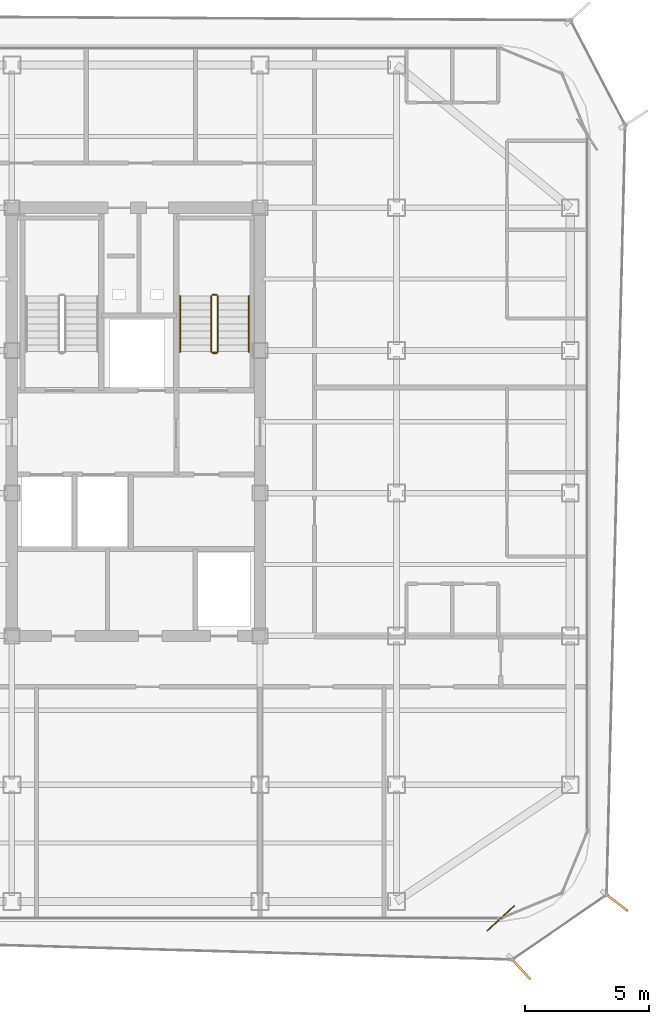
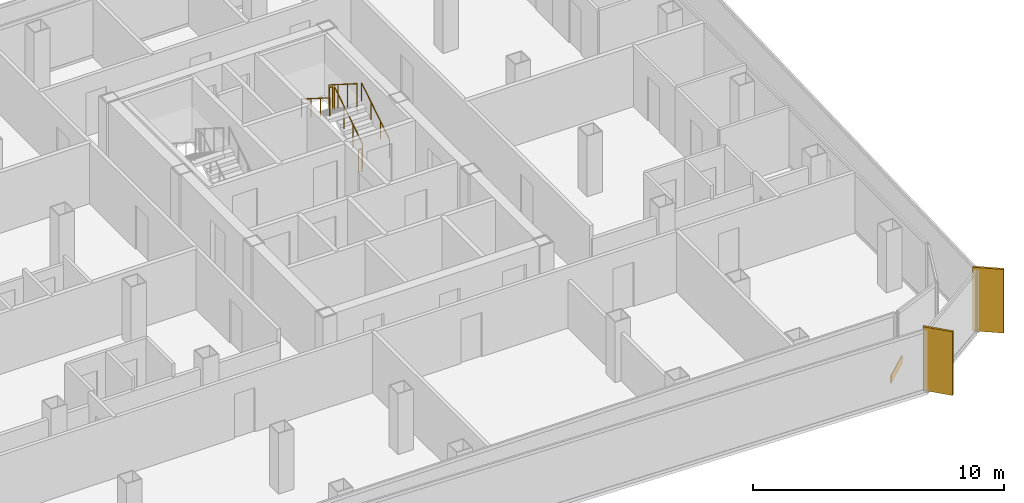
# One storey, part 14 of 15: 6 railings, 2 shading devices, 1 covering.
"""IFC4 building model written with IfcOpenShell, lengths in metres."""

from ifc_helpers import new_model, si_unit, direction, frame, origin, origin_2d, place, context, subcontext, project, spatial, rectangle, circle, extrude, source, transform, mapped, material, layer, layer_set, type_object, element, save


model = new_model("IFC4")

# Units and contexts
model_context = context("Model", 3, precision=1e-05, world=origin(), true_north=direction((0.0, 1.0)))
body_context = subcontext(model_context, "Body", "Model", "MODEL_VIEW")
ifc_project = project(units=[si_unit("LENGTHUNIT", "METRE"), si_unit("AREAUNIT", "SQUARE_METRE"), si_unit("VOLUMEUNIT", "CUBIC_METRE"), si_unit("PLANEANGLEUNIT", "RADIAN"), si_unit("MASSUNIT", "GRAM", prefix="KILO")], contexts=[model_context])

# Site, building, storey
site_placement = place(None, origin())
site = spatial("IfcSite", under=ifc_project, at=site_placement, CompositionType="ELEMENT")
building_placement = place(site_placement, origin())
building = spatial("IfcBuilding", under=site, at=building_placement, Name="Kolveth Station Tower", CompositionType="ELEMENT")
storey_placement = place(building_placement, frame((0.0, 0.0, 168.89990234375)))
storey = spatial("IfcBuildingStorey", under=building, at=storey_placement, Name="L47", CompositionType="ELEMENT", Elevation=168.89990234375)

# Railings
ifc_material_1 = material(Name="Painted Steel S355 balustrade", Category="steel")
railing_type_1 = type_object("IfcRailingType", Name="Guard_GR2", PredefinedType="BALUSTRADE", material=ifc_material_1)
railing_1_placement = place(storey_placement, frame((26.800048828125, 22.949951171875, 0.177978515625)))
element("IfcRailing", 1, at=railing_1_placement, inside=storey, type_object=railing_type_1, Name="L47 ST2 stair guard 1", PredefinedType="BALUSTRADE", context=body_context, shape_type="SweptSolid", body=[
    extrude(circle(Radius=0.02392578125, at=origin_2d()), frame((0.0, 0.0, 1.1259765625), z_axis=(0.0, 0.8442293374, 0.53598211339), x_axis=(-1.0, 0.0, 0.0)), (0.0, 0.0, 1.0), 2.6533203125),
    extrude(circle(Radius=0.02099609375, at=origin_2d()), origin(), (0.0, 0.0, 1.0), 1.101806640625),
    extrude(circle(Radius=0.02099609375, at=origin_2d()), frame((0.0, 0.74658203125, 0.47412109375)), (0.0, 0.0, 1.0), 1.101806640625),
    extrude(circle(Radius=0.02099609375, at=origin_2d()), frame((0.0, 1.493408203125, 0.947998046875)), (0.0, 0.0, 1.0), 1.101806640625),
    extrude(circle(Radius=0.02099609375, at=origin_2d()), frame((0.0, 2.239990234375, 1.422119140625)), (0.0, 0.0, 1.0), 1.101806640625),
])
railing_2_placement = place(storey_placement, frame((26.75, 25.239990234375, 1.60009765625)))
element("IfcRailing", 2, at=railing_2_placement, inside=storey, type_object=railing_type_1, Name="L47 ST2 stair guard 2", PredefinedType="BALUSTRADE", context=body_context, shape_type="SweptSolid", body=[
    extrude(circle(Radius=0.02392578125, at=origin_2d()), frame((0.0, 0.0, 1.1259765625), z_axis=(-1.0, 0.0, 0.0), x_axis=(0.0, -1.0, 0.0)), (0.0, 0.0, 1.0), 0.159912109375),
    extrude(circle(Radius=0.02099609375, at=origin_2d()), origin(), (0.0, 0.0, 1.0), 1.101806640625),
    extrude(circle(Radius=0.02099609375, at=origin_2d()), frame((-0.159912109375, 0.0, 0.0)), (0.0, 0.0, 1.0), 1.101806640625),
])
railing_3_placement = place(storey_placement, frame((26.5400390625, 25.18994140625, 1.77783203125)))
element("IfcRailing", 3, at=railing_3_placement, inside=storey, type_object=railing_type_1, Name="L47 ST2 stair guard 3", PredefinedType="BALUSTRADE", context=body_context, shape_type="SweptSolid", body=[
    extrude(circle(Radius=0.02392578125, at=origin_2d()), frame((0.0, 0.0, 1.1259765625), z_axis=(0.0, -0.84418770128, 0.536047689118), x_axis=(1.0, 0.0, 0.0)), (0.0, 0.0, 1.0), 2.6533203125),
    extrude(circle(Radius=0.02099609375, at=origin_2d()), origin(), (0.0, 0.0, 1.0), 1.101806640625),
    extrude(circle(Radius=0.02099609375, at=origin_2d()), frame((0.0, -0.74658203125, 0.47412109375)), (0.0, 0.0, 1.0), 1.101806640625),
    extrude(circle(Radius=0.02099609375, at=origin_2d()), frame((0.0, -1.493408203125, 0.9482421875)), (0.0, 0.0, 1.0), 1.101806640625),
    extrude(circle(Radius=0.02099609375, at=origin_2d()), frame((0.0, -2.239990234375, 1.42236328125)), (0.0, 0.0, 1.0), 1.101806640625),
])
railing_4_placement = place(storey_placement, frame((26.75, 22.89990234375, 0.0)))
element("IfcRailing", 4, at=railing_4_placement, inside=storey, type_object=railing_type_1, Name="L47 ST2 stair guard 4", PredefinedType="BALUSTRADE", context=body_context, shape_type="SweptSolid", body=[
    extrude(circle(Radius=0.02392578125, at=origin_2d()), frame((0.0, 0.0, 1.1259765625), z_axis=(-1.0, 0.0, 0.0), x_axis=(0.0, -1.0, 0.0)), (0.0, 0.0, 1.0), 0.159912109375),
    extrude(circle(Radius=0.02099609375, at=origin_2d()), origin(), (0.0, 0.0, 1.0), 1.101806640625),
    extrude(circle(Radius=0.02099609375, at=origin_2d()), frame((-0.159912109375, 0.0, 0.0)), (0.0, 0.0, 1.0), 1.101806640625),
])
ifc_material_2 = material(Name="Brushed stainless steel", Category="steel")
railing_type_2 = type_object("IfcRailingType", Name="Handrail_HR1", PredefinedType="HANDRAIL", material=ifc_material_2)
railing_5_placement = place(storey_placement, frame((28.050048828125, 22.949951171875, 0.177978515625)))
element("IfcRailing", 5, at=railing_5_placement, inside=storey, type_object=railing_type_2, Name="L47 ST2 stair handrail 1", PredefinedType="HANDRAIL", context=body_context, shape_type="SweptSolid", body=[
    extrude(circle(Radius=0.02392578125, at=origin_2d()), frame((0.0, 0.0, 0.8759765625), z_axis=(0.0, 0.8442293374, 0.53598211339), x_axis=(-1.0, 0.0, 0.0)), (0.0, 0.0, 1.0), 2.6533203125),
    extrude(circle(Radius=0.02099609375, at=origin_2d()), origin(), (0.0, 0.0, 1.0), 0.851806640625),
    extrude(circle(Radius=0.02099609375, at=origin_2d()), frame((0.0, 0.74658203125, 0.47412109375)), (0.0, 0.0, 1.0), 0.851806640625),
    extrude(circle(Radius=0.02099609375, at=origin_2d()), frame((0.0, 1.493408203125, 0.947998046875)), (0.0, 0.0, 1.0), 0.851806640625),
    extrude(circle(Radius=0.02099609375, at=origin_2d()), frame((0.0, 2.239990234375, 1.422119140625)), (0.0, 0.0, 1.0), 0.851806640625),
])
railing_6_placement = place(storey_placement, frame((25.2900390625, 25.18994140625, 1.77783203125)))
element("IfcRailing", 6, at=railing_6_placement, inside=storey, type_object=railing_type_2, Name="L47 ST2 stair handrail 2", PredefinedType="HANDRAIL", context=body_context, shape_type="SweptSolid", body=[
    extrude(circle(Radius=0.02392578125, at=origin_2d()), frame((0.0, 0.0, 0.8759765625), z_axis=(0.0, -0.84418770128, 0.536047689118), x_axis=(1.0, 0.0, 0.0)), (0.0, 0.0, 1.0), 2.6533203125),
    extrude(circle(Radius=0.02099609375, at=origin_2d()), origin(), (0.0, 0.0, 1.0), 0.851806640625),
    extrude(circle(Radius=0.02099609375, at=origin_2d()), frame((0.0, -0.74658203125, 0.47412109375)), (0.0, 0.0, 1.0), 0.851806640625),
    extrude(circle(Radius=0.02099609375, at=origin_2d()), frame((0.0, -1.493408203125, 0.9482421875)), (0.0, 0.0, 1.0), 0.851806640625),
    extrude(circle(Radius=0.02099609375, at=origin_2d()), frame((0.0, -2.239990234375, 1.42236328125)), (0.0, 0.0, 1.0), 0.851806640625),
])

# Shading devices
ifc_material_3 = material(Name="Black anodized aluminium 6063-T6", Category="aluminium")
shading_device_type = type_object("IfcShadingDeviceType", Name="FIN_VF1", PredefinedType="USERDEFINED", material=ifc_material_3)
shared_shape_1 = source(origin(), body_context, "Body", "SweptSolid", [
    extrude(rectangle(XDim=1.25, YDim=0.090087890625, at=origin_2d()), origin(), (0.0, 0.0, 1.0), 3.10009765625),
])
for number, where, z_axis, x_axis, name in (
    (7, (38.970947265625, -1.8759765625, 0.0), (0.0, 0.0, 1.0), (0.679185142834, -0.733966989553, 0.0), "L47 Dark-Aluminium Solar Fin 1"),
    (8, (42.825927734375, 0.79296875, 0.0), (0.0, 0.0, 1.0), (0.792821793707, -0.609453528518, 0.0), "L47 Dark-Aluminium Solar Fin 2"),
):
    element("IfcShadingDevice", number, at=place(storey_placement, frame(where, z_axis=z_axis, x_axis=x_axis)), inside=storey, type_object=shading_device_type, Name=name, ObjectType="FIN", PredefinedType="USERDEFINED", context=body_context, shape_type="MappedRepresentation", body=[
        mapped(shared_shape_1, transform((0.0, 0.0, 0.0), x_axis=(1.0, 0.0, 0.0), y_axis=(0.0, 1.0, 0.0), z_axis=(0.0, 0.0, 1.0), scale=1.0)),
    ])

# Covering
ifc_material_4 = material(Name="Charcoal anodized aluminium spandrel cladding", Category="aluminium")
ifc_layer = layer(ifc_material_4, 0.044921875)
ifc_layer_set = layer_set([ifc_layer], Name="Charcoal anodized aluminium spandrel cladding")
covering_type = type_object("IfcCoveringType", Name="Clad_CD1", PredefinedType="CLADDING", material=ifc_layer_set)
shared_shape_2 = source(origin(), body_context, "Body", "SweptSolid", [
    extrude(rectangle(XDim=1.5, YDim=0.044921875, at=origin_2d()), origin(), (0.0, 0.0, 1.0), 0.360107421875),
])
covering_placement = place(storey_placement, frame((38.199951171875, 0.1201171875, 0.0), z_axis=(0.0, 0.0, 1.0), x_axis=(0.733966989553, 0.679185142834, 0.0)))
element("IfcCovering", 9, at=covering_placement, inside=storey, type_object=covering_type, Name="L47 Spandrel Edge Cladding 1", PredefinedType="CLADDING", context=body_context, shape_type="MappedRepresentation", body=[
    mapped(shared_shape_2, transform((0.0, 0.0, 0.0), x_axis=(1.0, 0.0, 0.0), y_axis=(0.0, 1.0, 0.0), z_axis=(0.0, 0.0, 1.0), scale=1.0)),
])

save(model, "model.ifc")
